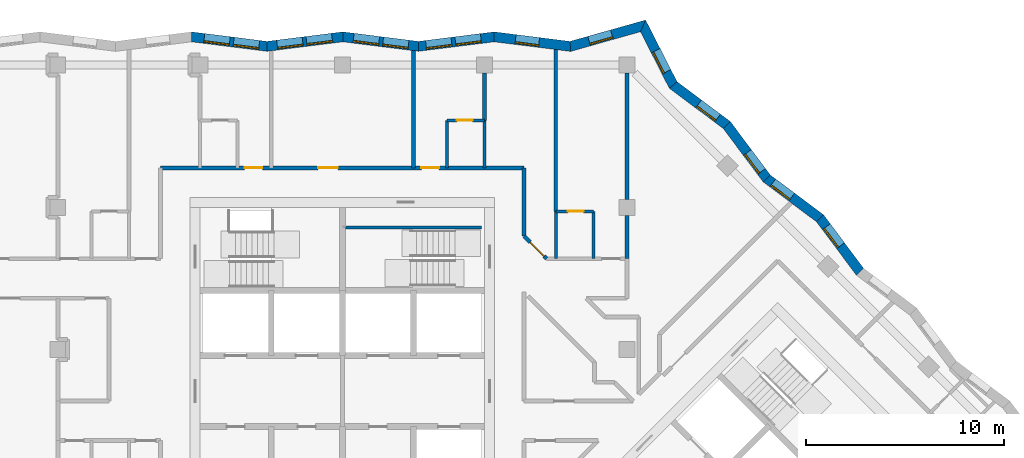
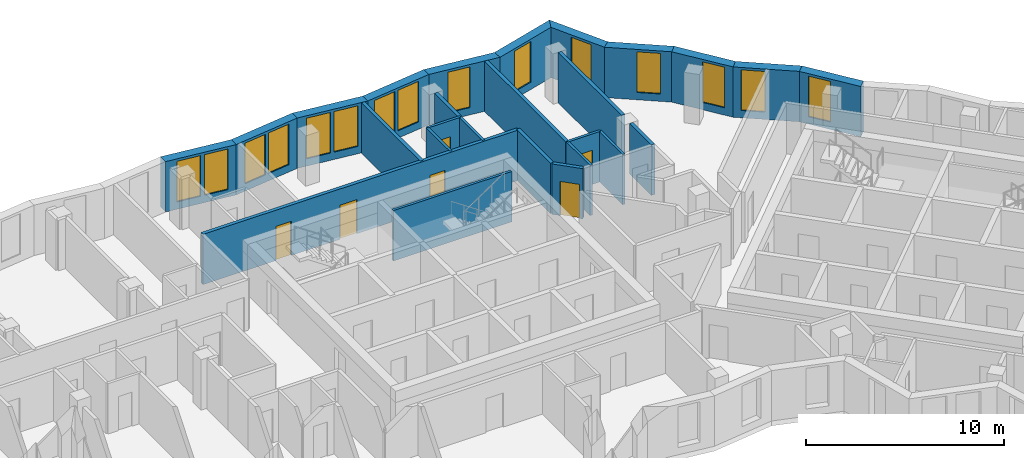
# One storey, part 7 of 12: 26 walls, 15 windows, 6 doors, 21 openings.
"""IFC4 building model written with IfcOpenShell, lengths in metres."""

from ifc_helpers import new_model, si_unit, direction, frame, frame_2d, origin, place, context, subcontext, project, spatial, polyline, rectangle, outline, extrude, material, layer, layer_set, type_object, element, fill, save


model = new_model("IFC4")

# Units and contexts
model_context = context("Model", 3, precision=1e-05, world=origin(), true_north=direction((0.0, 1.0)))
body_context = subcontext(model_context, "Body", "Model", "MODEL_VIEW")
ifc_project = project(units=[si_unit("LENGTHUNIT", "METRE"), si_unit("AREAUNIT", "SQUARE_METRE"), si_unit("VOLUMEUNIT", "CUBIC_METRE"), si_unit("PLANEANGLEUNIT", "RADIAN"), si_unit("MASSUNIT", "GRAM", prefix="KILO")], contexts=[model_context])

# Site, building, storey
site_placement = place(None, origin())
site = spatial("IfcSite", under=ifc_project, at=site_placement, CompositionType="ELEMENT")
building_placement = place(site_placement, origin())
building = spatial("IfcBuilding", under=site, at=building_placement, Name="Windrow Commons", CompositionType="ELEMENT")
storey_placement = place(building_placement, frame((0.0, 0.0, 210.0)))
storey = spatial("IfcBuildingStorey", under=building, at=storey_placement, Name="L57", CompositionType="ELEMENT", Elevation=210.0)

# Wall, opening, window
ifc_material_1 = material(Name="Brick masonry, red clay brick", Category="masonry")
ifc_layer_1 = layer(ifc_material_1, 0.5)
ifc_layer_set_1 = layer_set([ifc_layer_1], Name="Brick facade wall 500")
wall_type_1 = type_object("IfcWallType", Name="Brick facade wall 500", PredefinedType="SOLIDWALL", material=ifc_layer_set_1)
wall_1_placement = place(storey_placement, frame((90.9909, 61.549, 0.0), z_axis=(0.0, 0.0, 1.0), x_axis=(-0.5986837527, 0.8009854957, 0.0)))
wall_1 = element("IfcWall", 1, at=wall_1_placement, inside=storey, type_object=wall_type_1, Name="Brick facade wall L57 12", PredefinedType="SOLIDWALL", context=body_context, shape_type="SweptSolid", body=[
    extrude(outline(polyline([(0.0361, -0.25), (3.4053, -0.25), (3.333, 0.25), (-0.0361, 0.25), (0.0361, -0.25)])), origin(), (0.0, 0.0, 1.0), 3.1),
])
opening_1_placement = place(wall_1_placement, frame((1.6371, 0.0, 0.45)))
opening_1 = element("IfcOpeningElement", 2, at=opening_1_placement, cuts=wall_1, Name="Opening W7E", PredefinedType="OPENING", context=body_context, shape_type="SweptSolid", body=[
    extrude(rectangle(XDim=1.2, YDim=2.5, at=frame_2d((0.6, 1.25))), frame((0.0, 0.26, 0.0), z_axis=(0.0, -1.0, 0.0), x_axis=(1.0, 0.0, 0.0)), (0.0, 0.0, 1.0), 0.52),
])
ifc_material_2 = material(Name="Clear float glass in anodised aluminium frame", Category="aluminium")
window_type_1 = type_object("IfcWindowType", Name="Window W7 notch 1200x2500", PartitioningType="SINGLE_PANEL", PredefinedType="WINDOW", material=ifc_material_2)
window_1_placement = place(opening_1_placement, origin())
window_1 = element("IfcWindow", 3, at=window_1_placement, inside=storey, type_object=window_type_1, Name="Window L57 12.1", OverallHeight=2.5, OverallWidth=1.2, PartitioningType="SINGLE_PANEL", PredefinedType="WINDOW", context=body_context, shape_type="SweptSolid", body=[
    extrude(rectangle(XDim=1.2, YDim=2.5, at=frame_2d((0.6, 1.25))), frame((0.0, 0.18, 0.0), z_axis=(0.0, -1.0, 0.0), x_axis=(1.0, 0.0, 0.0)), (0.0, 0.0, 1.0), 0.06),
])
fill(opening_1, window_1)

wall_2_placement = place(storey_placement, frame((88.9738, 64.2477, 0.0), z_axis=(0.0, 0.0, 1.0), x_axis=(-0.8009890906, 0.598678943, 0.0)))
wall_2 = element("IfcWall", 4, at=wall_2_placement, inside=storey, type_object=wall_type_1, Name="Brick facade wall L57 13", PredefinedType="SOLIDWALL", context=body_context, shape_type="SweptSolid", body=[
    extrude(outline(polyline([(-0.0361, -0.25), (3.333, -0.25), (3.4053, 0.25), (0.0361, 0.25), (-0.0361, -0.25)])), origin(), (0.0, 0.0, 1.0), 3.1),
])
opening_2_placement = place(wall_2_placement, frame((1.7893, 0.0, 0.45)))
opening_2 = element("IfcOpeningElement", 5, at=opening_2_placement, cuts=wall_2, Name="Opening W7E", PredefinedType="OPENING", context=body_context, shape_type="SweptSolid", body=[
    extrude(rectangle(XDim=1.2, YDim=2.5, at=frame_2d((0.6, 1.25))), frame((0.0, 0.26, 0.0), z_axis=(0.0, -1.0, 0.0), x_axis=(1.0, 0.0, 0.0)), (0.0, 0.0, 1.0), 0.52),
])
window_2_placement = place(opening_2_placement, origin())
window_2 = element("IfcWindow", 6, at=window_2_placement, inside=storey, type_object=window_type_1, Name="Window L57 13.1", OverallHeight=2.5, OverallWidth=1.2, PartitioningType="SINGLE_PANEL", PredefinedType="WINDOW", context=body_context, shape_type="SweptSolid", body=[
    extrude(rectangle(XDim=1.2, YDim=2.5, at=frame_2d((0.6, 1.25))), frame((0.0, 0.18, 0.0), z_axis=(0.0, -1.0, 0.0), x_axis=(1.0, 0.0, 0.0)), (0.0, 0.0, 1.0), 0.06),
])
fill(opening_2, window_2)

wall_3_placement = place(storey_placement, frame((86.2752, 66.2647, 0.0), z_axis=(0.0, 0.0, 1.0), x_axis=(-0.5986837527, 0.8009854957, 0.0)))
wall_3 = element("IfcWall", 7, at=wall_3_placement, inside=storey, type_object=wall_type_1, Name="Brick facade wall L57 14", PredefinedType="SOLIDWALL", context=body_context, shape_type="SweptSolid", body=[
    extrude(outline(polyline([(0.0361, -0.25), (3.4053, -0.25), (3.333, 0.25), (-0.0361, 0.25), (0.0361, -0.25)])), origin(), (0.0, 0.0, 1.0), 3.1),
])
opening_3_placement = place(wall_3_placement, frame((0.4388, 0.0, 0.45)))
opening_3 = element("IfcOpeningElement", 8, at=opening_3_placement, cuts=wall_3, Name="Opening W7E", PredefinedType="OPENING", context=body_context, shape_type="SweptSolid", body=[
    extrude(rectangle(XDim=1.2, YDim=2.5, at=frame_2d((0.6, 1.25))), frame((0.0, 0.26, 0.0), z_axis=(0.0, -1.0, 0.0), x_axis=(1.0, 0.0, 0.0)), (0.0, 0.0, 1.0), 0.52),
])
window_3_placement = place(opening_3_placement, origin())
window_3 = element("IfcWindow", 9, at=window_3_placement, inside=storey, type_object=window_type_1, Name="Window L57 14.1", OverallHeight=2.5, OverallWidth=1.2, PartitioningType="SINGLE_PANEL", PredefinedType="WINDOW", context=body_context, shape_type="SweptSolid", body=[
    extrude(rectangle(XDim=1.2, YDim=2.5, at=frame_2d((0.6, 1.25))), frame((0.0, 0.18, 0.0), z_axis=(0.0, -1.0, 0.0), x_axis=(1.0, 0.0, 0.0)), (0.0, 0.0, 1.0), 0.06),
])
fill(opening_3, window_3)

wall_4_placement = place(storey_placement, frame((84.2581, 68.9634, 0.0), z_axis=(0.0, 0.0, 1.0), x_axis=(-0.8009932501, 0.5986733779, 0.0)))
wall_4 = element("IfcWall", 10, at=wall_4_placement, inside=storey, type_object=wall_type_1, Name="Brick facade wall L57 15", PredefinedType="SOLIDWALL", context=body_context, shape_type="SweptSolid", body=[
    extrude(outline(polyline([(-0.0361, -0.25), (3.333, -0.25), (3.4494, 0.25), (0.0361, 0.25), (-0.0361, -0.25)])), origin(), (0.0, 0.0, 1.0), 3.1),
])
opening_4_placement = place(wall_4_placement, frame((0.591, 0.0, 0.45)))
opening_4 = element("IfcOpeningElement", 11, at=opening_4_placement, cuts=wall_4, Name="Opening W7E", PredefinedType="OPENING", context=body_context, shape_type="SweptSolid", body=[
    extrude(rectangle(XDim=1.2, YDim=2.5, at=frame_2d((0.6, 1.25))), frame((0.0, 0.26, 0.0), z_axis=(0.0, -1.0, 0.0), x_axis=(1.0, 0.0, 0.0)), (0.0, 0.0, 1.0), 0.52),
])
window_4_placement = place(opening_4_placement, origin())
window_4 = element("IfcWindow", 12, at=window_4_placement, inside=storey, type_object=window_type_1, Name="Window L57 15.1", OverallHeight=2.5, OverallWidth=1.2, PartitioningType="SINGLE_PANEL", PredefinedType="WINDOW", context=body_context, shape_type="SweptSolid", body=[
    extrude(rectangle(XDim=1.2, YDim=2.5, at=frame_2d((0.6, 1.25))), frame((0.0, 0.18, 0.0), z_axis=(0.0, -1.0, 0.0), x_axis=(1.0, 0.0, 0.0)), (0.0, 0.0, 1.0), 0.06),
])
fill(opening_4, window_4)

wall_5_placement = place(storey_placement, frame((81.5418, 70.9936, 0.0), z_axis=(0.0, 0.0, 1.0), x_axis=(-0.4543449851, 0.8908258161, 0.0)))
wall_5 = element("IfcWall", 13, at=wall_5_placement, inside=storey, type_object=wall_type_1, Name="Brick facade wall L57 16", PredefinedType="SOLIDWALL", context=body_context, shape_type="SweptSolid", body=[
    extrude(outline(polyline([(0.0582, -0.25), (3.5639, -0.25), (3.1535, 0.25), (-0.0582, 0.25), (0.0582, -0.25)])), origin(), (0.0, 0.0, 1.0), 3.1),
])
opening_5_placement = place(wall_5_placement, frame((0.7445, 0.0, 0.45)))
opening_5 = element("IfcOpeningElement", 14, at=opening_5_placement, cuts=wall_5, Name="Opening W7E", PredefinedType="OPENING", context=body_context, shape_type="SweptSolid", body=[
    extrude(rectangle(XDim=1.2, YDim=2.5, at=frame_2d((0.6, 1.25))), frame((0.0, 0.26, 0.0), z_axis=(0.0, -1.0, 0.0), x_axis=(1.0, 0.0, 0.0)), (0.0, 0.0, 1.0), 0.52),
])
window_5_placement = place(opening_5_placement, origin())
window_5 = element("IfcWindow", 15, at=window_5_placement, inside=storey, type_object=window_type_1, Name="Window L57 16.1", OverallHeight=2.5, OverallWidth=1.2, PartitioningType="SINGLE_PANEL", PredefinedType="WINDOW", context=body_context, shape_type="SweptSolid", body=[
    extrude(rectangle(XDim=1.2, YDim=2.5, at=frame_2d((0.6, 1.25))), frame((0.0, 0.18, 0.0), z_axis=(0.0, -1.0, 0.0), x_axis=(1.0, 0.0, 0.0)), (0.0, 0.0, 1.0), 0.06),
])
fill(opening_5, window_5)

wall_6_placement = place(storey_placement, frame((80.0158, 73.9856, 0.0), z_axis=(0.0, 0.0, 1.0), x_axis=(-0.9623461237, -0.2718270373, 0.0)))
wall_6 = element("IfcWall", 16, at=wall_6_placement, inside=storey, type_object=wall_type_1, Name="Brick facade wall L57 17", PredefinedType="SOLIDWALL", context=body_context, shape_type="SweptSolid", body=[
    extrude(outline(polyline([(-0.2052, -0.25), (3.7752, -0.25), (3.8767, 0.25), (0.2052, 0.25), (-0.2052, -0.25)])), origin(), (0.0, 0.0, 1.0), 3.1),
])
opening_6_placement = place(wall_6_placement, frame((1.6368, 0.0, 0.45)))
opening_6 = element("IfcOpeningElement", 17, at=opening_6_placement, cuts=wall_6, Name="Opening W7E", PredefinedType="OPENING", context=body_context, shape_type="SweptSolid", body=[
    extrude(rectangle(XDim=1.2, YDim=2.5, at=frame_2d((0.6, 1.25))), frame((0.0, 0.26, 0.0), z_axis=(0.0, -1.0, 0.0), x_axis=(1.0, 0.0, 0.0)), (0.0, 0.0, 1.0), 0.52),
])
window_6_placement = place(opening_6_placement, origin())
window_6 = element("IfcWindow", 18, at=window_6_placement, inside=storey, type_object=window_type_1, Name="Window L57 17.1", OverallHeight=2.5, OverallWidth=1.2, PartitioningType="SINGLE_PANEL", PredefinedType="WINDOW", context=body_context, shape_type="SweptSolid", body=[
    extrude(rectangle(XDim=1.2, YDim=2.5, at=frame_2d((0.6, 1.25))), frame((0.0, 0.18, 0.0), z_axis=(0.0, -1.0, 0.0), x_axis=(1.0, 0.0, 0.0)), (0.0, 0.0, 1.0), 0.06),
])
fill(opening_6, window_6)

wall_7_placement = place(storey_placement, frame((76.3339, 72.9456, 0.0), z_axis=(0.0, 0.0, 1.0), x_axis=(-0.9921764383, 0.1248435636, 0.0)))
wall_7 = element("IfcWall", 19, at=wall_7_placement, inside=storey, type_object=wall_type_1, Name="Brick facade wall L57 18", PredefinedType="SOLIDWALL", context=body_context, shape_type="SweptSolid", body=[
    extrude(outline(polyline([(0.0507, -0.25), (3.9115, -0.25), (3.8485, 0.25), (-0.0507, 0.25), (0.0507, -0.25)])), origin(), (0.0, 0.0, 1.0), 3.1),
])
opening_7_placement = place(wall_7_placement, frame((1.5941, 0.0, 0.45)))
opening_7 = element("IfcOpeningElement", 20, at=opening_7_placement, cuts=wall_7, Name="Opening W7E", PredefinedType="OPENING", context=body_context, shape_type="SweptSolid", body=[
    extrude(rectangle(XDim=1.2, YDim=2.5, at=frame_2d((0.6, 1.25))), frame((0.0, 0.26, 0.0), z_axis=(0.0, -1.0, 0.0), x_axis=(1.0, 0.0, 0.0)), (0.0, 0.0, 1.0), 0.52),
])
window_7_placement = place(opening_7_placement, origin())
window_7 = element("IfcWindow", 21, at=window_7_placement, inside=storey, type_object=window_type_1, Name="Window L57 18.1", OverallHeight=2.5, OverallWidth=1.2, PartitioningType="SINGLE_PANEL", PredefinedType="WINDOW", context=body_context, shape_type="SweptSolid", body=[
    extrude(rectangle(XDim=1.2, YDim=2.5, at=frame_2d((0.6, 1.25))), frame((0.0, 0.18, 0.0), z_axis=(0.0, -1.0, 0.0), x_axis=(1.0, 0.0, 0.0)), (0.0, 0.0, 1.0), 0.06),
])
fill(opening_7, window_7)

# Wall, openings, windows
wall_8_placement = place(storey_placement, frame((72.4842, 73.43, 0.0), z_axis=(0.0, 0.0, 1.0), x_axis=(-0.9921759282, -0.1248476171, 0.0)))
wall_8 = element("IfcWall", 22, at=wall_8_placement, inside=storey, type_object=wall_type_1, Name="Brick facade wall L57 19", PredefinedType="SOLIDWALL", context=body_context, shape_type="SweptSolid", body=[
    extrude(outline(polyline([(-0.0315, -0.25), (3.8293, -0.25), (3.8922, 0.25), (0.0315, 0.25), (-0.0315, -0.25)])), origin(), (0.0, 0.0, 1.0), 3.1),
])
opening_8_placement = place(wall_8_placement, frame((0.6744, 0.0, 0.45)))
opening_8 = element("IfcOpeningElement", 23, at=opening_8_placement, cuts=wall_8, Name="Opening W1Q", PredefinedType="OPENING", context=body_context, shape_type="SweptSolid", body=[
    extrude(rectangle(XDim=1.3, YDim=2.5, at=frame_2d((0.65, 1.25))), frame((0.0, 0.26, 0.0), z_axis=(0.0, -1.0, 0.0), x_axis=(1.0, 0.0, 0.0)), (0.0, 0.0, 1.0), 0.52),
])
opening_9_placement = place(wall_8_placement, frame((2.1744, 0.0, 0.45)))
opening_9 = element("IfcOpeningElement", 24, at=opening_9_placement, cuts=wall_8, Name="Opening W1Q", PredefinedType="OPENING", context=body_context, shape_type="SweptSolid", body=[
    extrude(rectangle(XDim=1.3, YDim=2.5, at=frame_2d((0.65, 1.25))), frame((0.0, 0.26, 0.0), z_axis=(0.0, -1.0, 0.0), x_axis=(1.0, 0.0, 0.0)), (0.0, 0.0, 1.0), 0.52),
])
ifc_material_3 = material(Name="Clear float glass in anodised aluminium frame", Category="aluminium")
window_type_2 = type_object("IfcWindowType", Name="Window W1Q pair 1300x2500", PartitioningType="SINGLE_PANEL", PredefinedType="WINDOW", material=ifc_material_3)
window_8_placement = place(opening_8_placement, origin())
window_8 = element("IfcWindow", 25, at=window_8_placement, inside=storey, type_object=window_type_2, Name="Window L57 19.1A", OverallHeight=2.5, OverallWidth=1.3, PartitioningType="SINGLE_PANEL", PredefinedType="WINDOW", context=body_context, shape_type="SweptSolid", body=[
    extrude(rectangle(XDim=1.3, YDim=2.5, at=frame_2d((0.65, 1.25))), frame((0.0, 0.18, 0.0), z_axis=(0.0, -1.0, 0.0), x_axis=(1.0, 0.0, 0.0)), (0.0, 0.0, 1.0), 0.06),
])
fill(opening_8, window_8)
window_9_placement = place(opening_9_placement, origin())
window_9 = element("IfcWindow", 26, at=window_9_placement, inside=storey, type_object=window_type_2, Name="Window L57 19.1B", OverallHeight=2.5, OverallWidth=1.3, PartitioningType="SINGLE_PANEL", PredefinedType="WINDOW", context=body_context, shape_type="SweptSolid", body=[
    extrude(rectangle(XDim=1.3, YDim=2.5, at=frame_2d((0.65, 1.25))), frame((0.0, 0.18, 0.0), z_axis=(0.0, -1.0, 0.0), x_axis=(1.0, 0.0, 0.0)), (0.0, 0.0, 1.0), 0.06),
])
fill(opening_9, window_9)

wall_9_placement = place(storey_placement, frame((68.6537, 72.948, 0.0), z_axis=(0.0, 0.0, 1.0), x_axis=(-0.9921759282, 0.1248476171, 0.0)))
wall_9 = element("IfcWall", 27, at=wall_9_placement, inside=storey, type_object=wall_type_1, Name="Brick facade wall L57 20", PredefinedType="SOLIDWALL", context=body_context, shape_type="SweptSolid", body=[
    extrude(outline(polyline([(0.0315, -0.25), (3.8922, -0.25), (3.8293, 0.25), (-0.0315, 0.25), (0.0315, -0.25)])), origin(), (0.0, 0.0, 1.0), 3.1),
])
opening_10_placement = place(wall_9_placement, frame((0.5146, 0.0, 0.45)))
opening_10 = element("IfcOpeningElement", 28, at=opening_10_placement, cuts=wall_9, Name="Opening W1Q", PredefinedType="OPENING", context=body_context, shape_type="SweptSolid", body=[
    extrude(rectangle(XDim=1.3, YDim=2.5, at=frame_2d((0.65, 1.25))), frame((0.0, 0.26, 0.0), z_axis=(0.0, -1.0, 0.0), x_axis=(1.0, 0.0, 0.0)), (0.0, 0.0, 1.0), 0.52),
])
opening_11_placement = place(wall_9_placement, frame((2.0146, 0.0, 0.45)))
opening_11 = element("IfcOpeningElement", 29, at=opening_11_placement, cuts=wall_9, Name="Opening W1Q", PredefinedType="OPENING", context=body_context, shape_type="SweptSolid", body=[
    extrude(rectangle(XDim=1.3, YDim=2.5, at=frame_2d((0.65, 1.25))), frame((0.0, 0.26, 0.0), z_axis=(0.0, -1.0, 0.0), x_axis=(1.0, 0.0, 0.0)), (0.0, 0.0, 1.0), 0.52),
])
window_10_placement = place(opening_10_placement, origin())
window_10 = element("IfcWindow", 30, at=window_10_placement, inside=storey, type_object=window_type_2, Name="Window L57 20.1A", OverallHeight=2.5, OverallWidth=1.3, PartitioningType="SINGLE_PANEL", PredefinedType="WINDOW", context=body_context, shape_type="SweptSolid", body=[
    extrude(rectangle(XDim=1.3, YDim=2.5, at=frame_2d((0.65, 1.25))), frame((0.0, 0.18, 0.0), z_axis=(0.0, -1.0, 0.0), x_axis=(1.0, 0.0, 0.0)), (0.0, 0.0, 1.0), 0.06),
])
fill(opening_10, window_10)
window_11_placement = place(opening_11_placement, origin())
window_11 = element("IfcWindow", 31, at=window_11_placement, inside=storey, type_object=window_type_2, Name="Window L57 20.1B", OverallHeight=2.5, OverallWidth=1.3, PartitioningType="SINGLE_PANEL", PredefinedType="WINDOW", context=body_context, shape_type="SweptSolid", body=[
    extrude(rectangle(XDim=1.3, YDim=2.5, at=frame_2d((0.65, 1.25))), frame((0.0, 0.18, 0.0), z_axis=(0.0, -1.0, 0.0), x_axis=(1.0, 0.0, 0.0)), (0.0, 0.0, 1.0), 0.06),
])
fill(opening_11, window_11)

wall_10_placement = place(storey_placement, frame((64.8232, 73.43, 0.0), z_axis=(0.0, 0.0, 1.0), x_axis=(-0.9921759282, -0.1248476171, 0.0)))
wall_10 = element("IfcWall", 32, at=wall_10_placement, inside=storey, type_object=wall_type_1, Name="Brick facade wall L57 21", PredefinedType="SOLIDWALL", context=body_context, shape_type="SweptSolid", body=[
    extrude(outline(polyline([(-0.0315, -0.25), (3.8293, -0.25), (3.8922, 0.25), (0.0315, 0.25), (-0.0315, -0.25)])), origin(), (0.0, 0.0, 1.0), 3.1),
])
opening_12_placement = place(wall_10_placement, frame((0.5461, 0.0, 0.45)))
opening_12 = element("IfcOpeningElement", 33, at=opening_12_placement, cuts=wall_10, Name="Opening W1Q", PredefinedType="OPENING", context=body_context, shape_type="SweptSolid", body=[
    extrude(rectangle(XDim=1.3, YDim=2.5, at=frame_2d((0.65, 1.25))), frame((0.0, 0.26, 0.0), z_axis=(0.0, -1.0, 0.0), x_axis=(1.0, 0.0, 0.0)), (0.0, 0.0, 1.0), 0.52),
])
opening_13_placement = place(wall_10_placement, frame((2.0461, 0.0, 0.45)))
opening_13 = element("IfcOpeningElement", 34, at=opening_13_placement, cuts=wall_10, Name="Opening W1Q", PredefinedType="OPENING", context=body_context, shape_type="SweptSolid", body=[
    extrude(rectangle(XDim=1.3, YDim=2.5, at=frame_2d((0.65, 1.25))), frame((0.0, 0.26, 0.0), z_axis=(0.0, -1.0, 0.0), x_axis=(1.0, 0.0, 0.0)), (0.0, 0.0, 1.0), 0.52),
])
window_12_placement = place(opening_12_placement, origin())
window_12 = element("IfcWindow", 35, at=window_12_placement, inside=storey, type_object=window_type_2, Name="Window L57 21.1A", OverallHeight=2.5, OverallWidth=1.3, PartitioningType="SINGLE_PANEL", PredefinedType="WINDOW", context=body_context, shape_type="SweptSolid", body=[
    extrude(rectangle(XDim=1.3, YDim=2.5, at=frame_2d((0.65, 1.25))), frame((0.0, 0.18, 0.0), z_axis=(0.0, -1.0, 0.0), x_axis=(1.0, 0.0, 0.0)), (0.0, 0.0, 1.0), 0.06),
])
fill(opening_12, window_12)
window_13_placement = place(opening_13_placement, origin())
window_13 = element("IfcWindow", 36, at=window_13_placement, inside=storey, type_object=window_type_2, Name="Window L57 21.1B", OverallHeight=2.5, OverallWidth=1.3, PartitioningType="SINGLE_PANEL", PredefinedType="WINDOW", context=body_context, shape_type="SweptSolid", body=[
    extrude(rectangle(XDim=1.3, YDim=2.5, at=frame_2d((0.65, 1.25))), frame((0.0, 0.18, 0.0), z_axis=(0.0, -1.0, 0.0), x_axis=(1.0, 0.0, 0.0)), (0.0, 0.0, 1.0), 0.06),
])
fill(opening_13, window_13)

wall_11_placement = place(storey_placement, frame((60.9927, 72.948, 0.0), z_axis=(0.0, 0.0, 1.0), x_axis=(-0.9921759282, 0.1248476171, 0.0)))
wall_11 = element("IfcWall", 37, at=wall_11_placement, inside=storey, type_object=wall_type_1, Name="Brick facade wall L57 22", PredefinedType="SOLIDWALL", context=body_context, shape_type="SweptSolid", body=[
    extrude(outline(polyline([(0.0315, -0.25), (3.8922, -0.25), (3.8293, 0.25), (-0.0315, 0.25), (0.0315, -0.25)])), origin(), (0.0, 0.0, 1.0), 3.1),
])
opening_14_placement = place(wall_11_placement, frame((0.4097, 0.0, 0.45)))
opening_14 = element("IfcOpeningElement", 38, at=opening_14_placement, cuts=wall_11, Name="Opening W1Q", PredefinedType="OPENING", context=body_context, shape_type="SweptSolid", body=[
    extrude(rectangle(XDim=1.3, YDim=2.5, at=frame_2d((0.65, 1.25))), frame((0.0, 0.26, 0.0), z_axis=(0.0, -1.0, 0.0), x_axis=(1.0, 0.0, 0.0)), (0.0, 0.0, 1.0), 0.52),
])
opening_15_placement = place(wall_11_placement, frame((1.9097, 0.0, 0.45)))
opening_15 = element("IfcOpeningElement", 39, at=opening_15_placement, cuts=wall_11, Name="Opening W1Q", PredefinedType="OPENING", context=body_context, shape_type="SweptSolid", body=[
    extrude(rectangle(XDim=1.3, YDim=2.5, at=frame_2d((0.65, 1.25))), frame((0.0, 0.26, 0.0), z_axis=(0.0, -1.0, 0.0), x_axis=(1.0, 0.0, 0.0)), (0.0, 0.0, 1.0), 0.52),
])
window_14_placement = place(opening_14_placement, origin())
window_14 = element("IfcWindow", 40, at=window_14_placement, inside=storey, type_object=window_type_2, Name="Window L57 22.1A", OverallHeight=2.5, OverallWidth=1.3, PartitioningType="SINGLE_PANEL", PredefinedType="WINDOW", context=body_context, shape_type="SweptSolid", body=[
    extrude(rectangle(XDim=1.3, YDim=2.5, at=frame_2d((0.65, 1.25))), frame((0.0, 0.18, 0.0), z_axis=(0.0, -1.0, 0.0), x_axis=(1.0, 0.0, 0.0)), (0.0, 0.0, 1.0), 0.06),
])
fill(opening_14, window_14)
window_15_placement = place(opening_15_placement, origin())
window_15 = element("IfcWindow", 41, at=window_15_placement, inside=storey, type_object=window_type_2, Name="Window L57 22.1B", OverallHeight=2.5, OverallWidth=1.3, PartitioningType="SINGLE_PANEL", PredefinedType="WINDOW", context=body_context, shape_type="SweptSolid", body=[
    extrude(rectangle(XDim=1.3, YDim=2.5, at=frame_2d((0.65, 1.25))), frame((0.0, 0.18, 0.0), z_axis=(0.0, -1.0, 0.0), x_axis=(1.0, 0.0, 0.0)), (0.0, 0.0, 1.0), 0.06),
])
fill(opening_15, window_15)

# Wall, openings, doors
ifc_material_4 = material(Name="Blockwork partition", Category="masonry")
ifc_layer_2 = layer(ifc_material_4, 0.2)
ifc_layer_set_2 = layer_set([ifc_layer_2], Name="IW-CORRIDOR-200")
wall_type_2 = type_object("IfcWallType", Name="IW-CORRIDOR-200", PredefinedType="PARTITIONING", material=ifc_layer_set_2)
wall_12_placement = place(storey_placement, frame((55.6, 66.8, 0.0), z_axis=(0.0, 0.0, 1.0), x_axis=(1.0, 0.0, 0.0)))
wall_12 = element("IfcWall", 42, at=wall_12_placement, inside=storey, type_object=wall_type_2, Name="W-L57-W001", PredefinedType="PARTITIONING", context=body_context, shape_type="SweptSolid", body=[
    extrude(rectangle(XDim=18.4, YDim=0.2, at=frame_2d((9.2, 0.0))), origin(), (0.0, 0.0, 1.0), 3.1),
])
opening_16_placement = place(wall_12_placement, frame((4.25, 0.0, 0.0)))
opening_16 = element("IfcOpeningElement", 43, at=opening_16_placement, cuts=wall_12, Name="Opening D109S", PredefinedType="OPENING", context=body_context, shape_type="SweptSolid", body=[
    extrude(rectangle(XDim=0.9, YDim=2.1, at=frame_2d((0.45, 1.05))), frame((0.0, 0.11, 0.0), z_axis=(0.0, -1.0, 0.0), x_axis=(1.0, 0.0, 0.0)), (0.0, 0.0, 1.0), 0.22),
])
opening_17_placement = place(wall_12_placement, frame((7.9737, 0.0, 0.0)))
opening_17 = element("IfcOpeningElement", 44, at=opening_17_placement, cuts=wall_12, Name="Opening D310F", PredefinedType="OPENING", context=body_context, shape_type="SweptSolid", body=[
    extrude(rectangle(XDim=1.0, YDim=2.1, at=frame_2d((0.5, 1.05))), frame((0.0, 0.11, 0.0), z_axis=(0.0, -1.0, 0.0), x_axis=(1.0, 0.0, 0.0)), (0.0, 0.0, 1.0), 0.22),
])
opening_18_placement = place(wall_12_placement, frame((13.2, 0.0, 0.0)))
opening_18 = element("IfcOpeningElement", 45, at=opening_18_placement, cuts=wall_12, Name="Opening D109S", PredefinedType="OPENING", context=body_context, shape_type="SweptSolid", body=[
    extrude(rectangle(XDim=0.9, YDim=2.1, at=frame_2d((0.45, 1.05))), frame((0.0, 0.11, 0.0), z_axis=(0.0, -1.0, 0.0), x_axis=(1.0, 0.0, 0.0)), (0.0, 0.0, 1.0), 0.22),
])
ifc_material_5 = material(Name="Timber door leaf", Category="wood")
door_type_1 = type_object("IfcDoorType", Name="DT-AMENITY-1000", OperationType="SINGLE_SWING_LEFT", PredefinedType="DOOR", material=ifc_material_5)
door_1_placement = place(opening_17_placement, origin())
door_1 = element("IfcDoor", 46, at=door_1_placement, inside=storey, type_object=door_type_1, Name="D-L57-D009", OperationType="SINGLE_SWING_LEFT", OverallHeight=2.1, OverallWidth=1.0, PredefinedType="DOOR", context=body_context, shape_type="SweptSolid", body=[
    extrude(rectangle(XDim=1.0, YDim=2.1, at=frame_2d((0.5, 1.05))), frame((0.0, 0.025, 0.0), z_axis=(0.0, -1.0, 0.0), x_axis=(1.0, 0.0, 0.0)), (0.0, 0.0, 1.0), 0.05),
])
fill(opening_17, door_1)
ifc_material_6 = material(Name="Timber door leaf", Category="wood")
door_type_2 = type_object("IfcDoorType", Name="DT-BEDROOM-900", OperationType="SINGLE_SWING_LEFT", PredefinedType="DOOR", material=ifc_material_6)
door_2_placement = place(opening_16_placement, origin())
door_2 = element("IfcDoor", 47, at=door_2_placement, inside=storey, type_object=door_type_2, Name="D-L57-D007", OperationType="SINGLE_SWING_RIGHT", OverallHeight=2.1, OverallWidth=0.9, PredefinedType="DOOR", context=body_context, shape_type="SweptSolid", body=[
    extrude(rectangle(XDim=0.9, YDim=2.1, at=frame_2d((0.45, 1.05))), frame((0.0, 0.025, 0.0), z_axis=(0.0, -1.0, 0.0), x_axis=(1.0, 0.0, 0.0)), (0.0, 0.0, 1.0), 0.05),
])
fill(opening_16, door_2)
door_3_placement = place(opening_18_placement, origin())
door_3 = element("IfcDoor", 48, at=door_3_placement, inside=storey, type_object=door_type_2, Name="D-L57-D010", OperationType="SINGLE_SWING_LEFT", OverallHeight=2.1, OverallWidth=0.9, PredefinedType="DOOR", context=body_context, shape_type="SweptSolid", body=[
    extrude(rectangle(XDim=0.9, YDim=2.1, at=frame_2d((0.45, 1.05))), frame((0.0, 0.025, 0.0), z_axis=(0.0, -1.0, 0.0), x_axis=(1.0, 0.0, 0.0)), (0.0, 0.0, 1.0), 0.05),
])
fill(opening_18, door_3)

# Wall
wall_13_placement = place(storey_placement, frame((74.0, 63.342, 0.0), z_axis=(0.0, 0.0, 1.0), x_axis=(0.0, 1.0, 0.0)))
element("IfcWall", 49, at=wall_13_placement, inside=storey, type_object=wall_type_2, Name="W-L57-W048", PredefinedType="PARTITIONING", context=body_context, shape_type="SweptSolid", body=[
    extrude(rectangle(XDim=3.458, YDim=0.2, at=frame_2d((1.729, 0.0))), origin(), (0.0, 0.0, 1.0), 3.1),
])

# Wall, opening, door
wall_14_placement = place(storey_placement, frame((73.9971, 63.3371, 0.0), z_axis=(0.0, 0.0, 1.0), x_axis=(0.7071067812, -0.7071067812, 0.0)))
wall_14 = element("IfcWall", 50, at=wall_14_placement, inside=storey, type_object=wall_type_2, Name="W-L57-W119", PredefinedType="PARTITIONING", context=body_context, shape_type="SweptSolid", body=[
    extrude(rectangle(XDim=1.6122, YDim=0.2, at=frame_2d((0.8061, 0.0))), origin(), (0.0, 0.0, 1.0), 3.1),
])
opening_19_placement = place(wall_14_placement, frame((0.4317, 0.0, 0.0)))
opening_19 = element("IfcOpeningElement", 51, at=opening_19_placement, cuts=wall_14, Name="Opening D310F", PredefinedType="OPENING", context=body_context, shape_type="SweptSolid", body=[
    extrude(rectangle(XDim=1.0, YDim=2.1, at=frame_2d((0.5, 1.05))), frame((0.0, 0.11, 0.0), z_axis=(0.0, -1.0, 0.0), x_axis=(1.0, 0.0, 0.0)), (0.0, 0.0, 1.0), 0.22),
])
door_4_placement = place(opening_19_placement, origin())
door_4 = element("IfcDoor", 52, at=door_4_placement, inside=storey, type_object=door_type_1, Name="D-L57-D022", OperationType="SINGLE_SWING_RIGHT", OverallHeight=2.1, OverallWidth=1.0, PredefinedType="DOOR", context=body_context, shape_type="SweptSolid", body=[
    extrude(rectangle(XDim=1.0, YDim=2.1, at=frame_2d((0.5, 1.05))), frame((0.0, 0.025, 0.0), z_axis=(0.0, -1.0, 0.0), x_axis=(1.0, 0.0, 0.0)), (0.0, 0.0, 1.0), 0.05),
])
fill(opening_19, door_4)

# Walls
ifc_material_7 = material(Name="Blockwork partition", Category="masonry")
ifc_layer_3 = layer(ifc_material_7, 0.15)
ifc_layer_set_3 = layer_set([ifc_layer_3], Name="IW-ENSUITE-150")
wall_type_3 = type_object("IfcWallType", Name="IW-ENSUITE-150", PredefinedType="PARTITIONING", material=ifc_layer_set_3)
for number, where, z_axis, x_axis, name in (
    (53, (70.1, 66.8, 0.0), (0.0, 0.0, 1.0), (0.0, 1.0, 0.0), "W-L57-W066"),
    (54, (72.0, 66.8, 0.0), (0.0, 0.0, 1.0), (0.0, 1.0, 0.0), "W-L57-W067"),
    (55, (75.6, 62.2, 0.0), (0.0, 0.0, 1.0), (0.0, 1.0, 0.0), "W-L57-W080"),
    (56, (77.5, 62.2, 0.0), (0.0, 0.0, 1.0), (0.0, 1.0, 0.0), "W-L57-W081"),
):
    element("IfcWall", number, at=place(storey_placement, frame(where, z_axis=z_axis, x_axis=x_axis)), inside=storey, type_object=wall_type_3, Name=name, PredefinedType="PARTITIONING", context=body_context, shape_type="SweptSolid", body=[
        extrude(rectangle(XDim=2.4, YDim=0.15, at=frame_2d((1.2, 0.0))), origin(), (0.0, 0.0, 1.0), 3.1),
    ])

# Wall, opening, door
wall_15_placement = place(storey_placement, frame((75.6, 64.6, 0.0), z_axis=(0.0, 0.0, 1.0), x_axis=(1.0, 0.0, 0.0)))
wall_15 = element("IfcWall", 57, at=wall_15_placement, inside=storey, type_object=wall_type_3, Name="W-L57-W107", PredefinedType="PARTITIONING", context=body_context, shape_type="SweptSolid", body=[
    extrude(rectangle(XDim=1.9, YDim=0.15, at=frame_2d((0.95, 0.0))), origin(), (0.0, 0.0, 1.0), 3.1),
])
opening_20_placement = place(wall_15_placement, frame((0.6069, 0.0, 0.0)))
opening_20 = element("IfcOpeningElement", 58, at=opening_20_placement, cuts=wall_15, Name="Opening D208N", PredefinedType="OPENING", context=body_context, shape_type="SweptSolid", body=[
    extrude(rectangle(XDim=0.8, YDim=2.1, at=frame_2d((0.4, 1.05))), frame((0.0, 0.085, 0.0), z_axis=(0.0, -1.0, 0.0), x_axis=(1.0, 0.0, 0.0)), (0.0, 0.0, 1.0), 0.17),
])
ifc_material_8 = material(Name="Timber door leaf", Category="wood")
door_type_3 = type_object("IfcDoorType", Name="DT-ENSUITE-800", OperationType="SINGLE_SWING_LEFT", PredefinedType="DOOR", material=ifc_material_8)
door_5_placement = place(opening_20_placement, origin())
door_5 = element("IfcDoor", 59, at=door_5_placement, inside=storey, type_object=door_type_3, Name="D-L57-D024", OperationType="SINGLE_SWING_RIGHT", OverallHeight=2.1, OverallWidth=0.8, PredefinedType="DOOR", context=body_context, shape_type="SweptSolid", body=[
    extrude(rectangle(XDim=0.8, YDim=2.1, at=frame_2d((0.4, 1.05))), frame((0.0, 0.025, 0.0), z_axis=(0.0, -1.0, 0.0), x_axis=(1.0, 0.0, 0.0)), (0.0, 0.0, 1.0), 0.05),
])
fill(opening_20, door_5)

wall_16_placement = place(storey_placement, frame((70.1, 69.2, 0.0), z_axis=(0.0, 0.0, 1.0), x_axis=(1.0, 0.0, 0.0)))
wall_16 = element("IfcWall", 60, at=wall_16_placement, inside=storey, type_object=wall_type_3, Name="W-L57-W108", PredefinedType="PARTITIONING", context=body_context, shape_type="SweptSolid", body=[
    extrude(rectangle(XDim=1.9, YDim=0.15, at=frame_2d((0.95, 0.0))), origin(), (0.0, 0.0, 1.0), 3.1),
])
opening_21_placement = place(wall_16_placement, frame((0.4931, 0.0, 0.0)))
opening_21 = element("IfcOpeningElement", 61, at=opening_21_placement, cuts=wall_16, Name="Opening D208N", PredefinedType="OPENING", context=body_context, shape_type="SweptSolid", body=[
    extrude(rectangle(XDim=0.8, YDim=2.1, at=frame_2d((0.4, 1.05))), frame((0.0, 0.085, 0.0), z_axis=(0.0, -1.0, 0.0), x_axis=(1.0, 0.0, 0.0)), (0.0, 0.0, 1.0), 0.17),
])
door_6_placement = place(opening_21_placement, origin())
door_6 = element("IfcDoor", 62, at=door_6_placement, inside=storey, type_object=door_type_3, Name="D-L57-D011", OperationType="SINGLE_SWING_RIGHT", OverallHeight=2.1, OverallWidth=0.8, PredefinedType="DOOR", context=body_context, shape_type="SweptSolid", body=[
    extrude(rectangle(XDim=0.8, YDim=2.1, at=frame_2d((0.4, 1.05))), frame((0.0, 0.025, 0.0), z_axis=(0.0, -1.0, 0.0), x_axis=(1.0, 0.0, 0.0)), (0.0, 0.0, 1.0), 0.05),
])
fill(opening_21, door_6)

# Walls
ifc_material_9 = material(Name="Blockwork partition", Category="masonry")
ifc_layer_4 = layer(ifc_material_9, 0.2)
ifc_layer_set_4 = layer_set([ifc_layer_4], Name="IW-PARTY-200")
wall_type_4 = type_object("IfcWallType", Name="IW-PARTY-200", PredefinedType="PARTITIONING", material=ifc_layer_set_4)
wall_17_placement = place(storey_placement, frame((75.6, 64.6, 0.0), z_axis=(0.0, 0.0, 1.0), x_axis=(0.0, 1.0, 0.0)))
element("IfcWall", 63, at=wall_17_placement, inside=storey, type_object=wall_type_4, Name="W-L57-W012", PredefinedType="PARTITIONING", context=body_context, shape_type="SweptSolid", body=[
    extrude(rectangle(XDim=8.186, YDim=0.2, at=frame_2d((4.093, 0.0))), origin(), (0.0, 0.0, 1.0), 3.1),
])
wall_18_placement = place(storey_placement, frame((79.2, 65.2, 0.0), z_axis=(0.0, 0.0, 1.0), x_axis=(0.0, 1.0, 0.0)))
element("IfcWall", 64, at=wall_18_placement, inside=storey, type_object=wall_type_4, Name="W-L57-W019", PredefinedType="PARTITIONING", context=body_context, shape_type="SweptSolid", body=[
    extrude(rectangle(XDim=6.4, YDim=0.2, at=frame_2d((3.2, 0.0))), origin(), (0.0, 0.0, 1.0), 3.1),
])
wall_19_placement = place(storey_placement, frame((68.4, 66.8, 0.0), z_axis=(0.0, 0.0, 1.0), x_axis=(0.0, 1.0, 0.0)))
element("IfcWall", 65, at=wall_19_placement, inside=storey, type_object=wall_type_4, Name="W-L57-W025", PredefinedType="PARTITIONING", context=body_context, shape_type="SweptSolid", body=[
    extrude(rectangle(XDim=5.928, YDim=0.2, at=frame_2d((2.964, 0.0))), origin(), (0.0, 0.0, 1.0), 3.1),
])
wall_20_placement = place(storey_placement, frame((72.0, 69.2, 0.0), z_axis=(0.0, 0.0, 1.0), x_axis=(0.0, 1.0, 0.0)))
element("IfcWall", 66, at=wall_20_placement, inside=storey, type_object=wall_type_4, Name="W-L57-W079", PredefinedType="PARTITIONING", context=body_context, shape_type="SweptSolid", body=[
    extrude(rectangle(XDim=2.4, YDim=0.2, at=frame_2d((1.2, 0.0))), origin(), (0.0, 0.0, 1.0), 3.1),
])
wall_21_placement = place(storey_placement, frame((79.2, 62.2, 0.0), z_axis=(0.0, 0.0, 1.0), x_axis=(0.0, 1.0, 0.0)))
element("IfcWall", 67, at=wall_21_placement, inside=storey, type_object=wall_type_4, Name="W-L57-W092", PredefinedType="PARTITIONING", context=body_context, shape_type="SweptSolid", body=[
    extrude(rectangle(XDim=2.2, YDim=0.2, at=frame_2d((1.1, 0.0))), origin(), (0.0, 0.0, 1.0), 3.1),
])
ifc_material_10 = material(Name="Blockwork partition", Category="masonry")
ifc_layer_5 = layer(ifc_material_10, 0.15)
ifc_layer_set_5 = layer_set([ifc_layer_5], Name="Riser partition 150")
wall_type_5 = type_object("IfcWallType", Name="Riser partition 150", PredefinedType="PARTITIONING", material=ifc_layer_set_5)
wall_22_placement = place(storey_placement, frame((64.95, 63.78, 0.0), z_axis=(0.0, 0.0, 1.0), x_axis=(1.0, 0.0, 0.0)))
element("IfcWall", 68, at=wall_22_placement, inside=storey, type_object=wall_type_5, Name="W-core-strip-A-L57", PredefinedType="PARTITIONING", context=body_context, shape_type="SweptSolid", body=[
    extrude(rectangle(XDim=6.9, YDim=0.15, at=frame_2d((3.45, 0.0))), origin(), (0.0, 0.0, 1.0), 3.1),
])

save(model, "model.ifc")
